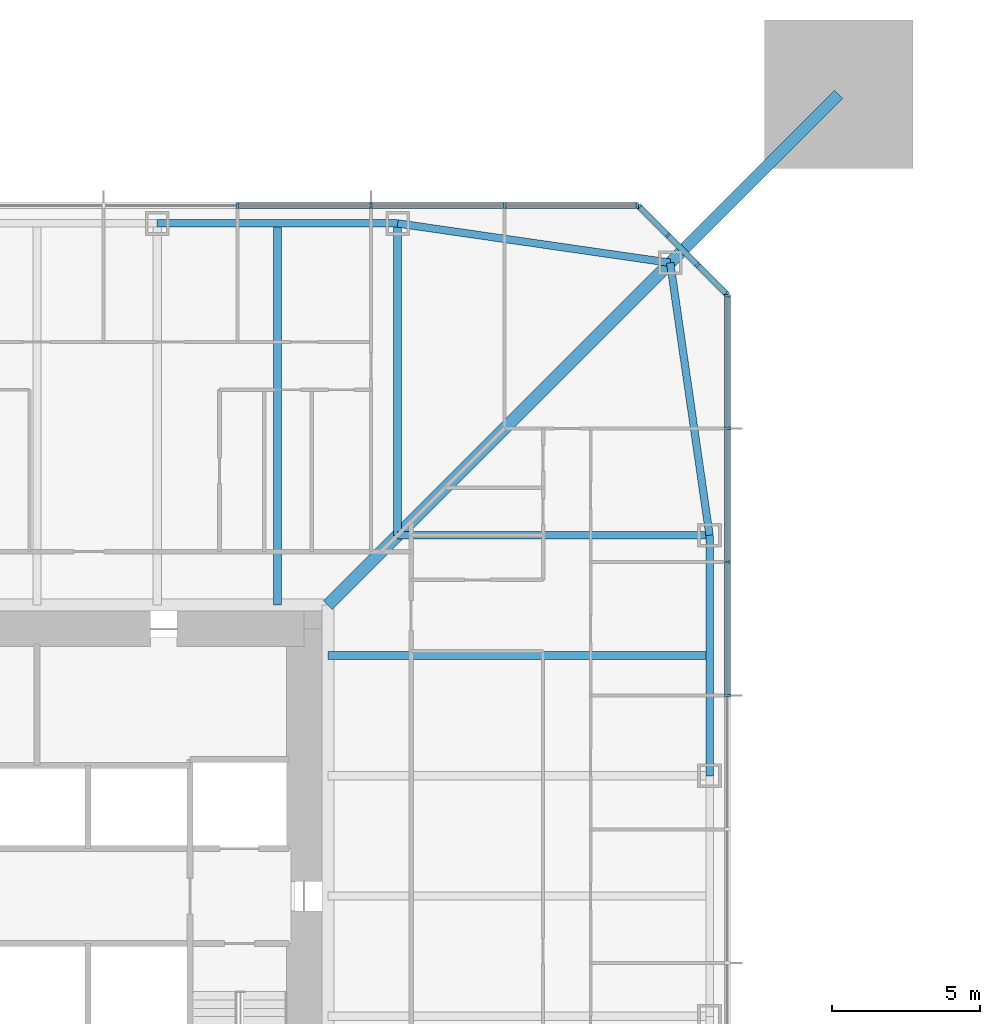
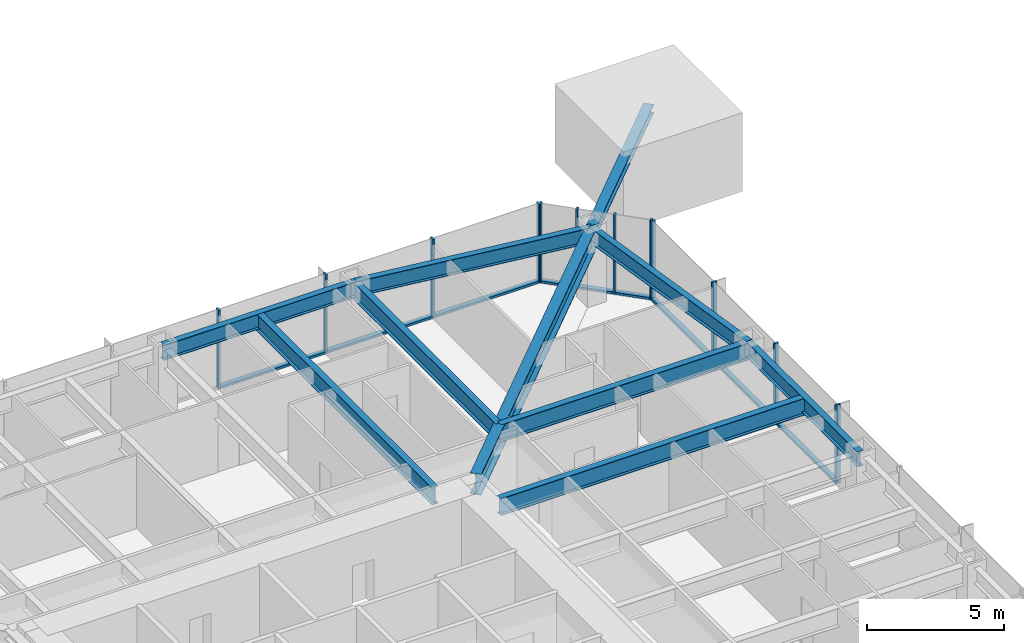
# One storey, part 7 of 26: 22 members, 9 beams, 3 elements without a shape of their own.
"""IFC4 building model written with IfcOpenShell, lengths in metres."""

import ifcopenshell
import ifcopenshell.guid

model = None  # the IFC model being written
_history = None  # IfcOwnerHistory: only IFC2X3 demands one
_inside = {}  # id of a spatial element -> (the spatial element, [elements in it])
_under = {}  # id of a project, library or spatial element -> (it, [spatial elements below it])
_declared = {}  # id of a project -> (the project, [libraries it declares])
_typed = {}  # id of a type object -> (the type object, [elements of that type])
_made_of = {}  # id of a material, layer set ... -> (it, [elements and type objects made of it])


def new_model(schema):
    """Start an empty IFC model of exactly this schema.

    Asked for "IFC4X3", IfcOpenShell would pick the latest addendum, in which some entities
    have other attributes; the version numbers below select the first issue.
    IFC2X3 requires an IfcOwnerHistory on every rooted entity: one is made here for all.
    """
    global model, _history
    if schema == "IFC4X3":
        model = ifcopenshell.file(schema_version=(4, 3, 0, 0))
    else:
        model = ifcopenshell.file(schema=schema)
    _inside.clear()
    _under.clear()
    _declared.clear()
    _typed.clear()
    _made_of.clear()
    _history = None
    if model.schema == "IFC2X3":
        org = make("IfcOrganization", Name="unknown")
        user = make(
            "IfcPersonAndOrganization",
            ThePerson=make("IfcPerson", FamilyName="unknown"),
            TheOrganization=org,
        )
        app = make(
            "IfcApplication",
            ApplicationDeveloper=org,
            Version="unknown",
            ApplicationFullName="unknown",
            ApplicationIdentifier="unknown",
        )
        _history = make(
            "IfcOwnerHistory",
            OwningUser=user,
            OwningApplication=app,
            ChangeAction="ADDED",
            CreationDate=0,
        )
    return model


def make(cls, **values):
    """One entity of the class cls with the attributes given. An attribute that is None is left unset."""
    return model.create_entity(
        cls, **{name: value for name, value in values.items() if value is not None}
    )


def rooted(cls, **values):
    """An entity with a GlobalId (a new one), such as an element, a storey or a relation."""
    return make(cls, GlobalId=ifcopenshell.guid.new(), OwnerHistory=_history, **values)


def si_unit(unit_type, name, prefix=None):
    """IfcSIUnit, for example si_unit("LENGTHUNIT", "METRE", prefix="MILLI")."""
    return make("IfcSIUnit", UnitType=unit_type, Prefix=prefix, Name=name)


def assignment(units):
    """IfcUnitAssignment: the units of a project."""
    return None if units is None else make("IfcUnitAssignment", Units=units)


def point(xyz):
    """IfcCartesianPoint."""
    return None if xyz is None else make("IfcCartesianPoint", Coordinates=xyz)


def direction(xyz):
    """IfcDirection."""
    return None if xyz is None else make("IfcDirection", DirectionRatios=xyz)


def frame(location, z_axis=None, x_axis=None):
    """IfcAxis2Placement3D, a coordinate frame: its origin and axes. An axis left out is left unset."""
    return make(
        "IfcAxis2Placement3D",
        Location=point(location),
        Axis=direction(z_axis),
        RefDirection=direction(x_axis),
    )


def frame_2d(location, x_axis=None):
    """IfcAxis2Placement2D, a coordinate frame in the plane: its origin and x axis."""
    return make(
        "IfcAxis2Placement2D", Location=point(location), RefDirection=direction(x_axis)
    )


def origin():
    """The frame at (0, 0, 0) with its axes left unset."""
    return frame((0.0, 0.0, 0.0))


def origin_2d():
    """The frame at (0, 0) in the plane with its x axis left unset."""
    return frame_2d((0.0, 0.0))


def place(relative_to, where):
    """IfcLocalPlacement: puts the frame where relative to a parent placement (None: the world)."""
    return make(
        "IfcLocalPlacement", PlacementRelTo=relative_to, RelativePlacement=where
    )


def context(
    kind, dimensions, precision=None, world=None, true_north=None, identifier=None
):
    """IfcGeometricRepresentationContext, for example the 3D "Model" context."""
    return make(
        "IfcGeometricRepresentationContext",
        ContextIdentifier=identifier,
        ContextType=kind,
        CoordinateSpaceDimension=dimensions,
        Precision=precision,
        WorldCoordinateSystem=world,
        TrueNorth=true_north,
    )


def subcontext(parent, identifier, kind, view, scale=None):
    """IfcGeometricRepresentationSubContext, for example "Body" below "Model"."""
    return make(
        "IfcGeometricRepresentationSubContext",
        ContextIdentifier=identifier,
        ContextType=kind,
        ParentContext=parent,
        TargetScale=scale,
        TargetView=view,
    )


def project(units=None, contexts=None):
    """IfcProject with its units and contexts."""
    return rooted(
        "IfcProject",
        Name="project",
        RepresentationContexts=contexts,
        UnitsInContext=assignment(units),
    )


def spatial(cls, under=None, at=None, **own):
    """A site, building, storey or space (cls), placed at a placement, below another one or the project."""
    s = rooted(cls, ObjectPlacement=at, **own)
    if under is not None:
        _under.setdefault(under.id(), (under, []))[1].append(s)
    return s


def profile(cls, at=None, kind="AREA", **sizes):
    """A parametric profile (cls). Its sizes go by their IFC names, for example OverallWidth=200.0."""
    return make(cls, ProfileType=kind, Position=at, **sizes)


def rectangle(**sizes):
    """IfcRectangleProfileDef."""
    return profile("IfcRectangleProfileDef", **sizes)


def i_section(**sizes):
    """IfcIShapeProfileDef."""
    return profile("IfcIShapeProfileDef", **sizes)


def extrude(swept, where, along, depth):
    """IfcExtrudedAreaSolid: the profile swept, set in the frame where, extruded along a direction by depth."""
    return make(
        "IfcExtrudedAreaSolid",
        SweptArea=swept,
        Position=where,
        ExtrudedDirection=direction(along),
        Depth=depth,
    )


def shape(context_of_items, identifier, shape_type, items):
    """IfcShapeRepresentation: the items that make up one representation, for example the "Body"."""
    return make(
        "IfcShapeRepresentation",
        ContextOfItems=context_of_items,
        RepresentationIdentifier=identifier,
        RepresentationType=shape_type,
        Items=items,
    )


def material(Name=None, Category=None):
    """IfcMaterial."""
    return make("IfcMaterial", Name=Name, Category=Category)


def material_profile(
    of_material, cross_section, Name=None, Category=None, Priority=None
):
    """IfcMaterialProfile: a cross section and its material."""
    return make(
        "IfcMaterialProfile",
        Name=Name,
        Material=of_material,
        Profile=cross_section,
        Priority=Priority,
        Category=Category,
    )


def profile_set(profiles, Name=None, composite=None):
    """IfcMaterialProfileSet."""
    return make(
        "IfcMaterialProfileSet",
        Name=Name,
        MaterialProfiles=profiles,
        CompositeProfile=composite,
    )


def made_of(thing, what):
    """Note that an element or type object is made of a material, layer set ...; save() writes the relation."""
    if what is not None:
        _made_of.setdefault(what.id(), (what, []))[1].append(thing)
    return thing


def type_object(cls, material=None, **own):
    """A type object (cls), such as IfcWallType, which elements share."""
    return made_of(rooted(cls, **own), material)


def element(
    cls,
    number,
    at=None,
    inside=None,
    cuts=None,
    type_object=None,
    material=None,
    context=None,
    identifier="Body",
    shape_type=None,
    held_by="IfcProductDefinitionShape",
    body=None,
    shapes=None,
    **own,
):
    """One element of the class cls, such as IfcWall. Its Tag is "e" and its number.

    at: its placement. inside: the storey or other place that contains it. cuts: it is an
    opening in that element (IfcRelVoidsElement). A single representation is given by context,
    identifier, shape_type and body (its items); several are given by shapes. held_by: the class
    of the entity that holds the representations. save() writes the other relations.
    """
    e = rooted(cls, Tag="e%d" % number, ObjectPlacement=at, **own)
    if body is not None:
        shapes = [shape(context, identifier, shape_type, body)]
    if shapes is not None:
        e.Representation = make(held_by, Representations=shapes)
    if inside is not None:
        _inside.setdefault(inside.id(), (inside, []))[1].append(e)
    if cuts is not None:
        rooted(
            "IfcRelVoidsElement", RelatingBuildingElement=cuts, RelatedOpeningElement=e
        )
    if type_object is not None:
        _typed.setdefault(type_object.id(), (type_object, []))[1].append(e)
    return made_of(e, material)


def aggregate(whole, parts):
    """IfcRelAggregates: a whole, such as a stair, and the parts it consists of."""
    return rooted("IfcRelAggregates", RelatingObject=whole, RelatedObjects=parts)


def save(model, path):
    """Write the relations noted so far, then the file.

    IfcRelAggregates (storeys below a building ...), IfcRelContainedInSpatialStructure (elements
    in a storey), IfcRelDefinesByType, IfcRelAssociatesMaterial and IfcRelDeclares: one each for
    every whole, place, type object, material and project.
    """
    for whole, parts in _under.values():
        aggregate(whole, parts)
    for where, things in _inside.values():
        rooted(
            "IfcRelContainedInSpatialStructure",
            RelatedElements=things,
            RelatingStructure=where,
        )
    for kind, things in _typed.values():
        rooted("IfcRelDefinesByType", RelatedObjects=things, RelatingType=kind)
    for what, things in _made_of.values():
        rooted("IfcRelAssociatesMaterial", RelatedObjects=things, RelatingMaterial=what)
    for by, libraries in _declared.values():
        rooted("IfcRelDeclares", RelatingContext=by, RelatedDefinitions=libraries)
    model.write(path)


model = new_model("IFC4")

# Units and contexts
model_context = context("Model", 3, precision=1e-05, world=origin(), true_north=direction((0.0, 1.0)))
body_context = subcontext(model_context, "Body", "Model", "MODEL_VIEW")
ifc_project = project(units=[si_unit("LENGTHUNIT", "METRE"), si_unit("AREAUNIT", "SQUARE_METRE"), si_unit("VOLUMEUNIT", "CUBIC_METRE"), si_unit("PLANEANGLEUNIT", "RADIAN"), si_unit("MASSUNIT", "GRAM", prefix="KILO")], contexts=[model_context])

# Site, building, storey
site_placement = place(None, origin())
site = spatial("IfcSite", under=ifc_project, at=site_placement, CompositionType="ELEMENT")
building_placement = place(site_placement, origin())
building = spatial("IfcBuilding", under=site, at=building_placement, Name="Iwan Alto Co-Living Towers", CompositionType="ELEMENT")
storey_placement = place(building_placement, frame((0.0, 0.0, 29.0)))
storey = spatial("IfcBuildingStorey", under=building, at=storey_placement, Name="L07", CompositionType="ELEMENT", Elevation=29.0)

# Curtain wall, members
ifc_material_1 = material(Name="Bronze aluminium unitised frame", Category="aluminium")
curtain_wall_type_1 = type_object("IfcCurtainWallType", Name="CURTAIN WALL CW-A", PredefinedType="NOTDEFINED", material=ifc_material_1)
curtain_wall_1_placement = place(storey_placement, origin())
curtain_wall_1 = element("IfcCurtainWall", 1, at=curtain_wall_1_placement, inside=storey, type_object=curtain_wall_type_1, Name="T1 curtain wall E L07", PredefinedType="NOTDEFINED")
ifc_material_2 = material(Name="Aluminium 6063-T6 bronze anodised", Category="aluminium")
ifc_material_profile_1 = material_profile(ifc_material_2, rectangle(XDim=0.199951171875, YDim=0.080078125, at=origin_2d()), Name="AL 80X200")
ifc_profile_set_1 = profile_set([ifc_material_profile_1], Name="Aluminium 6063-T6 bronze anodised")
member_type_1 = type_object("IfcMemberType", Name="CW-A MULLION 80X200", PredefinedType="MULLION", material=ifc_profile_set_1)
member_1_placement = place(storey_placement, frame((23.25, 6.75, 0.0), z_axis=(0.0, 0.0, 1.0), x_axis=(-1.0, 0.0, 0.0)))
member_1 = element("IfcMember", 2, at=member_1_placement, type_object=member_type_1, Name="CW-A mullion 7", PredefinedType="MULLION", context=body_context, shape_type="SweptSolid", body=[
    extrude(rectangle(XDim=0.199951171875, YDim=0.080078125, at=origin_2d()), origin(), (0.0, 0.0, 1.0), 3.5),
])
member_2_placement = place(storey_placement, frame((23.25, 11.25, 0.0), z_axis=(0.0, 0.0, 1.0), x_axis=(-1.0, 0.0, 0.0)))
member_2 = element("IfcMember", 3, at=member_2_placement, type_object=member_type_1, Name="CW-A mullion 8", PredefinedType="MULLION", context=body_context, shape_type="SweptSolid", body=[
    extrude(rectangle(XDim=0.199951171875, YDim=0.080078125, at=origin_2d()), origin(), (0.0, 0.0, 1.0), 3.5),
])
member_3_placement = place(storey_placement, frame((23.25, 15.75, 0.0), z_axis=(0.0, 0.0, 1.0), x_axis=(-1.0, 0.0, 0.0)))
member_3 = element("IfcMember", 4, at=member_3_placement, type_object=member_type_1, Name="CW-A mullion 9", PredefinedType="MULLION", context=body_context, shape_type="SweptSolid", body=[
    extrude(rectangle(XDim=0.199951171875, YDim=0.080078125, at=origin_2d()), origin(), (0.0, 0.0, 1.0), 3.5),
])
member_4_placement = place(storey_placement, frame((23.25, 20.2099609375, 0.0), z_axis=(0.0, 0.0, 1.0), x_axis=(-1.0, 0.0, 0.0)))
member_4 = element("IfcMember", 5, at=member_4_placement, type_object=member_type_1, Name="CW-A mullion 10", PredefinedType="MULLION", context=body_context, shape_type="SweptSolid", body=[
    extrude(rectangle(XDim=0.199951171875, YDim=0.080078125, at=origin_2d()), origin(), (0.0, 0.0, 1.0), 3.5),
])

curtain_wall_2_placement = place(storey_placement, origin())
curtain_wall_2 = element("IfcCurtainWall", 6, at=curtain_wall_2_placement, inside=storey, type_object=curtain_wall_type_1, Name="T1 curtain wall N L07", PredefinedType="NOTDEFINED")
member_5_placement = place(storey_placement, frame((20.2099609375, 23.25, 0.0), z_axis=(0.0, 0.0, 1.0), x_axis=(0.0, -1.0, 0.0)))
member_5 = element("IfcMember", 7, at=member_5_placement, type_object=member_type_1, Name="CW-A mullion 1", PredefinedType="MULLION", context=body_context, shape_type="SweptSolid", body=[
    extrude(rectangle(XDim=0.199951171875, YDim=0.080078125, at=origin_2d()), origin(), (0.0, 0.0, 1.0), 3.5),
])
member_6_placement = place(storey_placement, frame((15.75, 23.25, 0.0), z_axis=(0.0, 0.0, 1.0), x_axis=(0.0, -1.0, 0.0)))
member_6 = element("IfcMember", 8, at=member_6_placement, type_object=member_type_1, Name="CW-A mullion 2", PredefinedType="MULLION", context=body_context, shape_type="SweptSolid", body=[
    extrude(rectangle(XDim=0.199951171875, YDim=0.080078125, at=origin_2d()), origin(), (0.0, 0.0, 1.0), 3.5),
])
member_7_placement = place(storey_placement, frame((11.25, 23.25, 0.0), z_axis=(0.0, 0.0, 1.0), x_axis=(0.0, -1.0, 0.0)))
member_7 = element("IfcMember", 9, at=member_7_placement, type_object=member_type_1, Name="CW-A mullion 3", PredefinedType="MULLION", context=body_context, shape_type="SweptSolid", body=[
    extrude(rectangle(XDim=0.199951171875, YDim=0.080078125, at=origin_2d()), origin(), (0.0, 0.0, 1.0), 3.5),
])
member_8_placement = place(storey_placement, frame((6.75, 23.25, 0.0), z_axis=(0.0, 0.0, 1.0), x_axis=(0.0, -1.0, 0.0)))
member_8 = element("IfcMember", 10, at=member_8_placement, type_object=member_type_1, Name="CW-A mullion 4", PredefinedType="MULLION", context=body_context, shape_type="SweptSolid", body=[
    extrude(rectangle(XDim=0.199951171875, YDim=0.080078125, at=origin_2d()), origin(), (0.0, 0.0, 1.0), 3.5),
])

# Member
ifc_material_3 = material(Name="Aluminium 6063-T6 bronze anodised", Category="aluminium")
ifc_material_profile_2 = material_profile(ifc_material_3, rectangle(XDim=0.199951171875, YDim=0.10009765625, at=origin_2d()), Name="AL 200X100")
ifc_profile_set_2 = profile_set([ifc_material_profile_2], Name="Aluminium 6063-T6 bronze anodised")
member_type_2 = type_object("IfcMemberType", Name="CW-A TRANSOM 200X100", PredefinedType="USERDEFINED", material=ifc_profile_set_2)
member_9_placement = place(storey_placement, frame((23.25, 6.7900390625, 0.050048828125), z_axis=(0.0, 1.0, 0.0), x_axis=(-1.0, 0.0, 0.0)))
member_9 = element("IfcMember", 11, at=member_9_placement, type_object=member_type_2, Name="CW-A transom 7.1", ObjectType="TRANSOM", PredefinedType="USERDEFINED", context=body_context, shape_type="SweptSolid", body=[
    extrude(rectangle(XDim=0.199951171875, YDim=0.10009765625, at=origin_2d()), origin(), (0.0, 0.0, 1.0), 4.419921875),
])

member_10_placement = place(storey_placement, frame((23.25, 11.2900390625, 0.050048828125), z_axis=(0.0, 1.0, 0.0), x_axis=(-1.0, 0.0, 0.0)))
member_10 = element("IfcMember", 12, at=member_10_placement, type_object=member_type_2, Name="CW-A transom 8.1", ObjectType="TRANSOM", PredefinedType="USERDEFINED", context=body_context, shape_type="SweptSolid", body=[
    extrude(rectangle(XDim=0.199951171875, YDim=0.10009765625, at=origin_2d()), origin(), (0.0, 0.0, 1.0), 4.419921875),
])

member_11_placement = place(storey_placement, frame((23.25, 15.7900390625, 0.050048828125), z_axis=(0.0, 1.0, 0.0), x_axis=(-1.0, 0.0, 0.0)))
member_11 = element("IfcMember", 13, at=member_11_placement, type_object=member_type_2, Name="CW-A transom 9.1", ObjectType="TRANSOM", PredefinedType="USERDEFINED", context=body_context, shape_type="SweptSolid", body=[
    extrude(rectangle(XDim=0.199951171875, YDim=0.10009765625, at=origin_2d()), origin(), (0.0, 0.0, 1.0), 4.3798828125),
])

aggregate(curtain_wall_1, [member_1, member_2, member_3, member_4, member_9, member_10, member_11])

member_12_placement = place(storey_placement, frame((20.169921875, 23.25, 0.050048828125), z_axis=(-1.0, 0.0, 0.0), x_axis=(0.0, -1.0, 0.0)))
member_12 = element("IfcMember", 14, at=member_12_placement, type_object=member_type_2, Name="CW-A transom 1.1", ObjectType="TRANSOM", PredefinedType="USERDEFINED", context=body_context, shape_type="SweptSolid", body=[
    extrude(rectangle(XDim=0.199951171875, YDim=0.10009765625, at=origin_2d()), origin(), (0.0, 0.0, 1.0), 4.3798828125),
])

member_13_placement = place(storey_placement, frame((15.7099609375, 23.25, 0.050048828125), z_axis=(-1.0, 0.0, 0.0), x_axis=(0.0, -1.0, 0.0)))
member_13 = element("IfcMember", 15, at=member_13_placement, type_object=member_type_2, Name="CW-A transom 2.1", ObjectType="TRANSOM", PredefinedType="USERDEFINED", context=body_context, shape_type="SweptSolid", body=[
    extrude(rectangle(XDim=0.199951171875, YDim=0.10009765625, at=origin_2d()), origin(), (0.0, 0.0, 1.0), 4.419921875),
])

member_14_placement = place(storey_placement, frame((11.2099609375, 23.25, 0.050048828125), z_axis=(-1.0, 0.0, 0.0), x_axis=(0.0, -1.0, 0.0)))
member_14 = element("IfcMember", 16, at=member_14_placement, type_object=member_type_2, Name="CW-A transom 3.1", ObjectType="TRANSOM", PredefinedType="USERDEFINED", context=body_context, shape_type="SweptSolid", body=[
    extrude(rectangle(XDim=0.199951171875, YDim=0.10009765625, at=origin_2d()), origin(), (0.0, 0.0, 1.0), 4.419921875),
])

aggregate(curtain_wall_2, [member_5, member_6, member_7, member_8, member_12, member_13, member_14])

# Curtain wall, members
ifc_material_4 = material(Name="Bronze aluminium unitised frame", Category="aluminium")
curtain_wall_type_2 = type_object("IfcCurtainWallType", Name="CURTAIN WALL CW-B", PredefinedType="NOTDEFINED", material=ifc_material_4)
curtain_wall_3_placement = place(storey_placement, origin())
curtain_wall_3 = element("IfcCurtainWall", 17, at=curtain_wall_3_placement, inside=storey, type_object=curtain_wall_type_2, Name="T1 chamfer curtain wall NE L07", PredefinedType="NOTDEFINED")
ifc_material_5 = material(Name="Aluminium 6063-T6 bronze anodised", Category="aluminium")
ifc_material_profile_3 = material_profile(ifc_material_5, rectangle(XDim=0.199951171875, YDim=0.080078125, at=origin_2d()), Name="AL 80X200")
ifc_profile_set_3 = profile_set([ifc_material_profile_3], Name="Aluminium 6063-T6 bronze anodised")
member_type_3 = type_object("IfcMemberType", Name="CW-B MULLION 80X200", PredefinedType="MULLION", material=ifc_profile_set_3)
member_15_placement = place(storey_placement, frame((23.2216796875, 20.2783203125, 0.0), z_axis=(0.0, 0.0, 1.0), x_axis=(-0.707106781187, -0.707106781187, 0.0)))
member_15 = element("IfcMember", 18, at=member_15_placement, type_object=member_type_3, Name="CW-B mullion 1", PredefinedType="MULLION", context=body_context, shape_type="SweptSolid", body=[
    extrude(rectangle(XDim=0.199951171875, YDim=0.080078125, at=origin_2d()), origin(), (0.0, 0.0, 1.0), 3.5),
])
member_16_placement = place(storey_placement, frame((22.25, 21.25, 0.0), z_axis=(0.0, 0.0, 1.0), x_axis=(-0.707106781187, -0.707106781187, 0.0)))
member_16 = element("IfcMember", 19, at=member_16_placement, type_object=member_type_3, Name="CW-B mullion 2", PredefinedType="MULLION", context=body_context, shape_type="SweptSolid", body=[
    extrude(rectangle(XDim=0.199951171875, YDim=0.080078125, at=origin_2d()), origin(), (0.0, 0.0, 1.0), 3.5),
])
member_17_placement = place(storey_placement, frame((21.25, 22.25, 0.0), z_axis=(0.0, 0.0, 1.0), x_axis=(-0.707106781187, -0.707106781187, 0.0)))
member_17 = element("IfcMember", 20, at=member_17_placement, type_object=member_type_3, Name="CW-B mullion 3", PredefinedType="MULLION", context=body_context, shape_type="SweptSolid", body=[
    extrude(rectangle(XDim=0.199951171875, YDim=0.080078125, at=origin_2d()), origin(), (0.0, 0.0, 1.0), 3.5),
])
member_18_placement = place(storey_placement, frame((20.2783203125, 23.2216796875, 0.0), z_axis=(0.0, 0.0, 1.0), x_axis=(-0.707106781187, -0.707106781187, 0.0)))
member_18 = element("IfcMember", 21, at=member_18_placement, type_object=member_type_3, Name="CW-B mullion 4", PredefinedType="MULLION", context=body_context, shape_type="SweptSolid", body=[
    extrude(rectangle(XDim=0.199951171875, YDim=0.080078125, at=origin_2d()), origin(), (0.0, 0.0, 1.0), 3.5),
])
ifc_material_6 = material(Name="Aluminium 6063-T6 bronze anodised", Category="aluminium")
ifc_material_profile_4 = material_profile(ifc_material_6, rectangle(XDim=0.199951171875, YDim=0.10009765625, at=origin_2d()), Name="AL 200X100")
ifc_profile_set_4 = profile_set([ifc_material_profile_4], Name="Aluminium 6063-T6 bronze anodised")
member_type_4 = type_object("IfcMemberType", Name="CW-B TRANSOM 200X100", PredefinedType="USERDEFINED", material=ifc_profile_set_4)
member_19_placement = place(storey_placement, frame((23.193359375, 20.306640625, 0.050048828125), z_axis=(-0.707106781187, 0.707106781187, 0.0), x_axis=(-0.707106781187, -0.707106781187, 0.0)))
member_19 = element("IfcMember", 22, at=member_19_placement, type_object=member_type_4, Name="CW-B transom 1.1", ObjectType="TRANSOM", PredefinedType="USERDEFINED", context=body_context, shape_type="SweptSolid", body=[
    extrude(rectangle(XDim=0.199951171875, YDim=0.10009765625, at=origin_2d()), origin(), (0.0, 0.0, 1.0), 1.2939453125),
])
member_20_placement = place(storey_placement, frame((22.2216796875, 21.2783203125, 0.050048828125), z_axis=(-0.707106781187, 0.707106781187, 0.0), x_axis=(-0.707106781187, -0.707106781187, 0.0)))
member_20 = element("IfcMember", 23, at=member_20_placement, type_object=member_type_4, Name="CW-B transom 2.1", ObjectType="TRANSOM", PredefinedType="USERDEFINED", context=body_context, shape_type="SweptSolid", body=[
    extrude(rectangle(XDim=0.199951171875, YDim=0.10009765625, at=origin_2d()), origin(), (0.0, 0.0, 1.0), 1.334228515625),
])
member_21_placement = place(storey_placement, frame((21.2216796875, 22.2783203125, 0.050048828125), z_axis=(-0.707106781187, 0.707106781187, 0.0), x_axis=(-0.707106781187, -0.707106781187, 0.0)))
member_21 = element("IfcMember", 24, at=member_21_placement, type_object=member_type_4, Name="CW-B transom 3.1", ObjectType="TRANSOM", PredefinedType="USERDEFINED", context=body_context, shape_type="SweptSolid", body=[
    extrude(rectangle(XDim=0.199951171875, YDim=0.10009765625, at=origin_2d()), origin(), (0.0, 0.0, 1.0), 1.2939453125),
])
aggregate(curtain_wall_3, [member_15, member_16, member_17, member_18, member_19, member_20, member_21])

# Beams
ifc_material_7 = material(Name="Steel ASTM A992 Gr 50", Category="steel")
ifc_material_profile_5 = material_profile(ifc_material_7, i_section(OverallWidth=0.419189453125, OverallDepth=0.927001953125, WebThickness=0.019287109375, FlangeThickness=0.031982421875, at=origin_2d()), Name="W36X231")
ifc_profile_set_5 = profile_set([ifc_material_profile_5], Name="Steel ASTM A992 Gr 50")
beam_type_1 = type_object("IfcBeamType", Name="T1 CORNER GIRDER W36X231", PredefinedType="BEAM", material=ifc_profile_set_5)
beam_1_placement = place(storey_placement, frame((21.32568359375, 21.32568359375, 2.806396484375), z_axis=(-0.707106781187, -0.707106781187, 0.0), x_axis=(0.707106781187, -0.707106781187, 0.0)))
element("IfcBeam", 25, at=beam_1_placement, inside=storey, type_object=beam_type_1, Name="T1 corner girder CNE L08", PredefinedType="BEAM", context=body_context, shape_type="SweptSolid", body=[
    extrude(i_section(OverallWidth=0.419189453125, OverallDepth=0.927001953125, WebThickness=0.019287109375, FlangeThickness=0.031982421875, at=origin_2d()), origin(), (0.0, 0.0, 1.0), 16.296875),
])
ifc_material_8 = material(Name="Steel ASTM A992 Gr 50", Category="steel")
ifc_material_profile_6 = material_profile(ifc_material_8, i_section(OverallWidth=0.25390625, OverallDepth=0.683349609375, WebThickness=0.012451171875, FlangeThickness=0.018798828125, at=origin_2d()), Name="W27X94")
ifc_profile_set_6 = profile_set([ifc_material_profile_6], Name="Steel ASTM A992 Gr 50")
beam_type_2 = type_object("IfcBeamType", Name="T1 EDGE BEAM W27X94", PredefinedType="BEAM", material=ifc_profile_set_6)
beam_2_placement = place(storey_placement, frame((22.64990234375, 4.050048828125, 2.928466796875), z_axis=(0.0, 1.0, 0.0), x_axis=(-1.0, 0.0, 0.0)))
element("IfcBeam", 26, at=beam_2_placement, inside=storey, type_object=beam_type_2, Name="T1 edge beam E3 L08", PredefinedType="BEAM", context=body_context, shape_type="SweptSolid", body=[
    extrude(i_section(OverallWidth=0.25390625, OverallDepth=0.683349609375, WebThickness=0.012451171875, FlangeThickness=0.018798828125, at=origin_2d()), origin(), (0.0, 0.0, 1.0), 8.099853515625),
])
for number, where, z_axis, x_axis, name in (
    (27, (22.64990234375, 12.14990234375, 2.928466796875), (-0.142836940589, 0.989746234347, 0.0), (-0.989746234347, -0.142836940589, 0.0), "T1 edge beam E4 L08"),
    (28, (21.32568359375, 21.32568359375, 2.928466796875), (-0.989746234347, 0.142836940589, 0.0), (-0.142836940589, -0.989746234347, 0.0), "T1 edge beam CNE L08"),
):
    element("IfcBeam", number, at=place(storey_placement, frame(where, z_axis=z_axis, x_axis=x_axis)), inside=storey, type_object=beam_type_2, Name=name, PredefinedType="BEAM", context=body_context, shape_type="SweptSolid", body=[
        extrude(i_section(OverallWidth=0.25390625, OverallDepth=0.683349609375, WebThickness=0.012451171875, FlangeThickness=0.018798828125, at=origin_2d()), origin(), (0.0, 0.0, 1.0), 9.270751953125),
    ])
beam_3_placement = place(storey_placement, frame((12.14990234375, 22.64990234375, 2.928466796875), z_axis=(-1.0, 0.0, 0.0), x_axis=(0.0, -1.0, 0.0)))
element("IfcBeam", 29, at=beam_3_placement, inside=storey, type_object=beam_type_2, Name="T1 edge beam N1 L08", PredefinedType="BEAM", context=body_context, shape_type="SweptSolid", body=[
    extrude(i_section(OverallWidth=0.25390625, OverallDepth=0.683349609375, WebThickness=0.012451171875, FlangeThickness=0.018798828125, at=origin_2d()), origin(), (0.0, 0.0, 1.0), 8.099853515625),
])

# Member
ifc_material_9 = material(Name="Steel ASTM A992 Gr 50", Category="steel")
ifc_material_profile_7 = material_profile(ifc_material_9, i_section(OverallWidth=0.393798828125, OverallDepth=0.3759765625, WebThickness=0.017333984375, FlangeThickness=0.027587890625, at=origin_2d()), Name="W14X145")
ifc_profile_set_7 = profile_set([ifc_material_profile_7], Name="Steel ASTM A992 Gr 50")
member_type_5 = type_object("IfcMemberType", Name="T1 MEGA COLUMN FLOOR TIE W14X145", PredefinedType="STRUT", material=ifc_profile_set_7)
member_22_placement = place(storey_placement, frame((27.0, 27.0, 3.08203125), z_axis=(-0.707106781187, -0.707106781187, 0.0), x_axis=(0.707106781187, -0.707106781187, 0.0)))
element("IfcMember", 30, at=member_22_placement, inside=storey, type_object=member_type_5, Name="T1 mega column floor tie NE L08", PredefinedType="STRUT", context=body_context, shape_type="SweptSolid", body=[
    extrude(i_section(OverallWidth=0.393798828125, OverallDepth=0.3759765625, WebThickness=0.017333984375, FlangeThickness=0.027587890625, at=origin_2d()), origin(), (0.0, 0.0, 1.0), 8.024658203125),
])

# Beams
ifc_material_10 = material(Name="Steel ASTM A992 Gr 50", Category="steel")
ifc_material_profile_8 = material_profile(ifc_material_10, i_section(OverallWidth=0.2666015625, OverallDepth=0.761962890625, WebThickness=0.014404296875, FlangeThickness=0.021484375, at=origin_2d()), Name="W30X116")
ifc_profile_set_8 = profile_set([ifc_material_profile_8], Name="Steel ASTM A992 Gr 50")
beam_type_3 = type_object("IfcBeamType", Name="T1 RADIAL BEAM W30X116", PredefinedType="BEAM", material=ifc_profile_set_8)
for number, where, z_axis, x_axis, name in (
    (31, (22.64990234375, 12.14990234375, 2.888916015625), (-1.0, 0.0, 0.0), (0.0, -1.0, 0.0), "T1 radial beam E4 L08"),
    (32, (12.14990234375, 22.64990234375, 2.888916015625), (0.0, -1.0, 0.0), (1.0, 0.0, 0.0), "T1 radial beam N1 L08"),
):
    element("IfcBeam", number, at=place(storey_placement, frame(where, z_axis=z_axis, x_axis=x_axis)), inside=storey, type_object=beam_type_3, Name=name, PredefinedType="BEAM", context=body_context, shape_type="SweptSolid", body=[
        extrude(i_section(OverallWidth=0.2666015625, OverallDepth=0.761962890625, WebThickness=0.014404296875, FlangeThickness=0.021484375, at=origin_2d()), origin(), (0.0, 0.0, 1.0), 10.5),
    ])
ifc_material_11 = material(Name="Steel ASTM A992 Gr 50", Category="steel")
ifc_material_profile_9 = material_profile(ifc_material_11, i_section(OverallWidth=0.2666015625, OverallDepth=0.761962890625, WebThickness=0.014404296875, FlangeThickness=0.021484375, at=origin_2d()), Name="W30X116")
ifc_profile_set_9 = profile_set([ifc_material_profile_9], Name="Steel ASTM A992 Gr 50")
beam_type_4 = type_object("IfcBeamType", Name="T1 SECONDARY BEAM W30X116", PredefinedType="JOIST", material=ifc_profile_set_9)
for number, where, z_axis, x_axis, name in (
    (33, (22.64990234375, 8.10009765625, 2.888916015625), (-1.0, 0.0, 0.0), (0.0, -1.0, 0.0), "T1 secondary beam E3 L08"),
    (34, (8.10009765625, 22.64990234375, 2.888916015625), (0.0, -1.0, 0.0), (1.0, 0.0, 0.0), "T1 secondary beam N1 L08"),
):
    element("IfcBeam", number, at=place(storey_placement, frame(where, z_axis=z_axis, x_axis=x_axis)), inside=storey, type_object=beam_type_4, Name=name, PredefinedType="JOIST", context=body_context, shape_type="SweptSolid", body=[
        extrude(i_section(OverallWidth=0.2666015625, OverallDepth=0.761962890625, WebThickness=0.014404296875, FlangeThickness=0.021484375, at=origin_2d()), origin(), (0.0, 0.0, 1.0), 12.847900390625),
    ])

save(model, "model.ifc")
